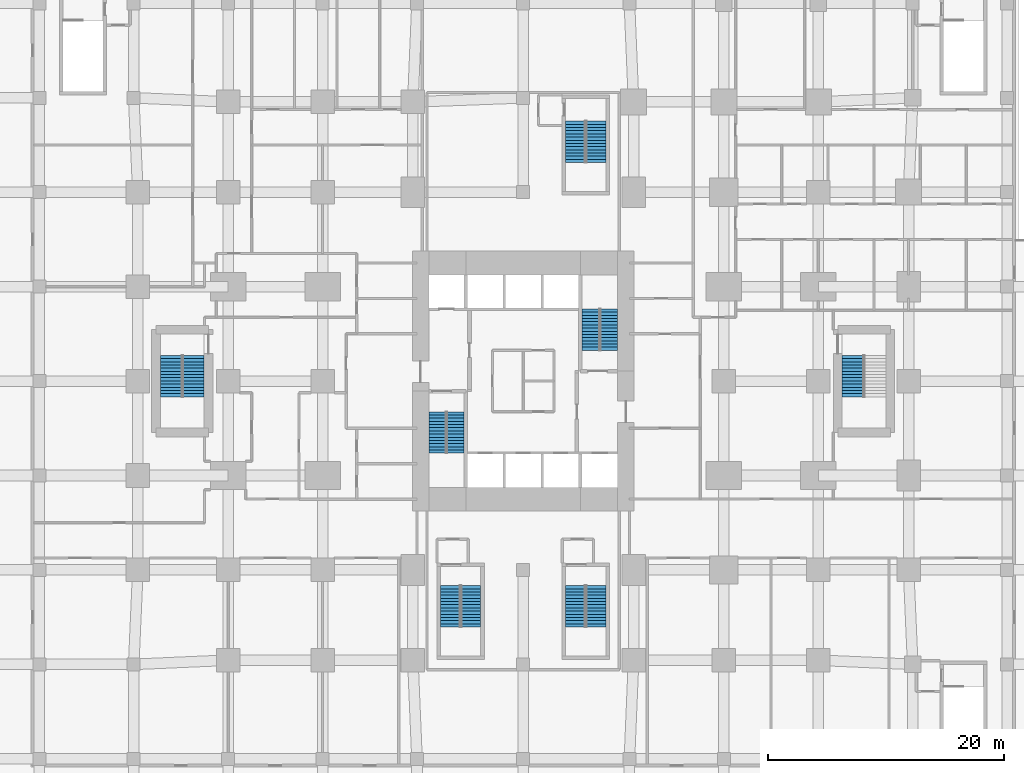
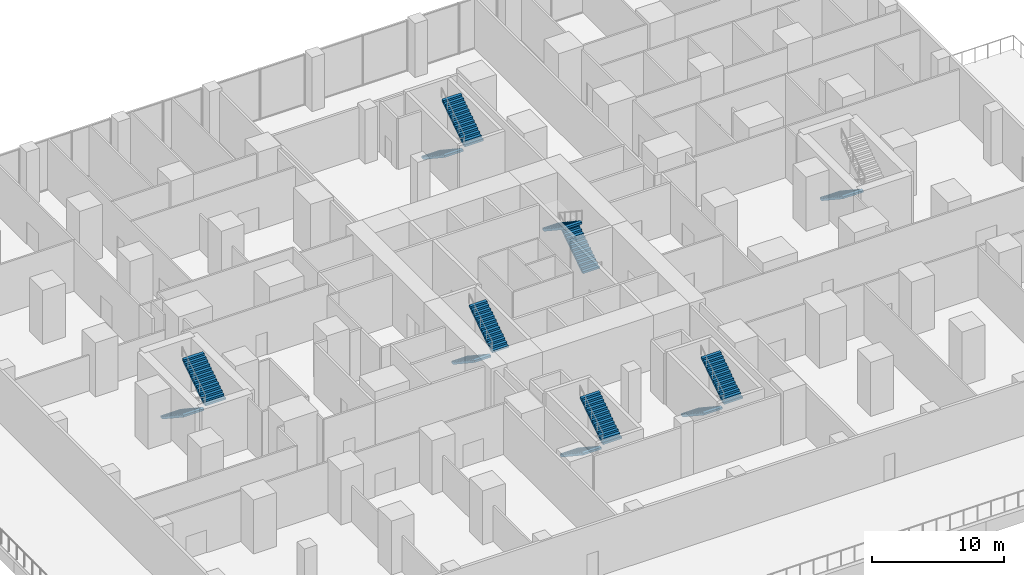
# One storey, part 15 of 19: 13 stair flights, 7 elements without a shape of their own.
"""IFC4 building model written with IfcOpenShell, lengths in metres."""

from ifc_helpers import new_model, si_unit, direction, frame, origin, place, context, subcontext, project, spatial, polyline, outline, extrude, material, type_object, element, aggregate, save


model = new_model("IFC4")

# Units and contexts
model_context = context("Model", 3, precision=1e-05, world=origin(), true_north=direction((0.0, 1.0)))
body_context = subcontext(model_context, "Body", "Model", "MODEL_VIEW")
ifc_project = project(units=[si_unit("LENGTHUNIT", "METRE"), si_unit("AREAUNIT", "SQUARE_METRE"), si_unit("VOLUMEUNIT", "CUBIC_METRE"), si_unit("PLANEANGLEUNIT", "RADIAN"), si_unit("MASSUNIT", "GRAM", prefix="KILO")], contexts=[model_context])

# Site, building, storey
site_placement = place(None, origin())
site = spatial("IfcSite", under=ifc_project, at=site_placement, CompositionType="ELEMENT")
building_placement = place(site_placement, origin())
building = spatial("IfcBuilding", under=site, at=building_placement, Name="Cleftline Residences", CompositionType="ELEMENT")
storey_placement = place(building_placement, frame((0.0, 0.0, 11.0)))
storey = spatial("IfcBuildingStorey", under=building, at=storey_placement, Name="L02", CompositionType="ELEMENT", Elevation=11.0)

# Stair, stair flights
ifc_material_1 = material(Name="Concrete B45, stone treads", Category="masonry")
stair_type_1 = type_object("IfcStairType", Name="STAIR A 1450 WIDE 179 RISER", PredefinedType="HALF_TURN_STAIR", material=ifc_material_1)
stair_1_placement = place(storey_placement, origin())
stair_1 = element("IfcStair", 1, at=stair_1_placement, inside=storey, type_object=stair_type_1, Name="Stair A L02", PredefinedType="HALF_TURN_STAIR")
ifc_material_2 = material(Name="Concrete B45", Category="concrete")
stair_flight_type_1 = type_object("IfcStairFlightType", Name="STAIR A FLIGHT 1450X179", PredefinedType="STRAIGHT", material=ifc_material_2)
stair_flight_1_placement = place(storey_placement, frame((25.72509765625, 21.39990234375, 0.0), z_axis=(0.0, 0.0, 1.0), x_axis=(0.0, -1.0, 0.0)))
stair_flight_1 = element("IfcStairFlight", 2, at=stair_flight_1_placement, type_object=stair_flight_type_1, Name="ST-A flight 1", NumberOfRisers=14, NumberOfTreads=13, PredefinedType="STRAIGHT", RiserHeight=0.178571429, TreadLength=0.27, context=body_context, shape_type="SweptSolid", body=[
    extrude(outline(polyline([(0.0, 0.0), (0.0, 0.013671875), (0.0, 0.027587890625), (0.0, 0.041259765625), (0.0, 0.054931640625), (0.0, 0.068603515625), (0.0, 0.08251953125), (0.0, 0.09619140625), (0.0, 0.10986328125), (0.0, 0.12353515625), (0.0, 0.137451171875), (0.0, 0.151123046875), (0.0, 0.164794921875), (0.0, 0.178466796875), (0.27001953125, 0.178466796875), (0.27001953125, 0.357177734375), (0.5400390625, 0.357177734375), (0.5400390625, 0.53564453125), (0.81005859375, 0.53564453125), (0.81005859375, 0.71435546875), (1.080078125, 0.71435546875), (1.080078125, 0.892822265625), (1.35009765625, 0.892822265625), (1.35009765625, 1.071533203125), (1.6201171875, 1.071533203125), (1.6201171875, 1.25), (1.889892578125, 1.25), (1.889892578125, 1.428466796875), (2.159912109375, 1.428466796875), (2.159912109375, 1.607177734375), (2.429931640625, 1.607177734375), (2.429931640625, 1.78564453125), (2.699951171875, 1.78564453125), (2.699951171875, 1.96435546875), (2.969970703125, 1.96435546875), (2.969970703125, 2.142822265625), (3.239990234375, 2.142822265625), (3.239990234375, 2.321533203125), (3.510009765625, 2.321533203125), (3.510009765625, 2.5), (3.510009765625, 2.472412109375), (3.510009765625, 2.44482421875), (3.510009765625, 2.417236328125), (3.510009765625, 2.3896484375), (3.510009765625, 2.3623046875), (3.510009765625, 2.334716796875), (3.510009765625, 2.30712890625), (3.510009765625, 2.279541015625), (3.510009765625, 2.251953125), (3.510009765625, 2.224365234375), (3.510009765625, 2.19677734375), (3.510009765625, 2.169189453125), (3.510009765625, 2.1416015625), (0.271728515625, 0.0), (0.0, 0.0)])), frame((0.0, 0.72509765625, 0.0), z_axis=(0.0, -1.0, 0.0), x_axis=(1.0, 0.0, 0.0)), (0.0, 0.0, 1.0), 1.449951171875),
])
stair_flight_2_placement = place(storey_placement, frame((27.27490234375, 17.889892578125, 2.5), z_axis=(0.0, 0.0, 1.0), x_axis=(0.0, 1.0, 0.0)))
stair_flight_2 = element("IfcStairFlight", 3, at=stair_flight_2_placement, type_object=stair_flight_type_1, Name="ST-A flight 2", NumberOfRisers=14, NumberOfTreads=13, PredefinedType="STRAIGHT", RiserHeight=0.178571429, TreadLength=0.27, context=body_context, shape_type="SweptSolid", body=[
    extrude(outline(polyline([(0.0, 0.0), (0.0, 0.013671875), (0.0, 0.027587890625), (0.0, 0.041259765625), (0.0, 0.054931640625), (0.0, 0.068603515625), (0.0, 0.08251953125), (0.0, 0.09619140625), (0.0, 0.10986328125), (0.0, 0.12353515625), (0.0, 0.137451171875), (0.0, 0.151123046875), (0.0, 0.164794921875), (0.0, 0.178466796875), (0.27001953125, 0.178466796875), (0.27001953125, 0.357177734375), (0.5400390625, 0.357177734375), (0.5400390625, 0.53564453125), (0.81005859375, 0.53564453125), (0.81005859375, 0.71435546875), (1.080078125, 0.71435546875), (1.080078125, 0.892822265625), (1.35009765625, 0.892822265625), (1.35009765625, 1.071533203125), (1.6201171875, 1.071533203125), (1.6201171875, 1.25), (1.889892578125, 1.25), (1.889892578125, 1.428466796875), (2.159912109375, 1.428466796875), (2.159912109375, 1.607177734375), (2.429931640625, 1.607177734375), (2.429931640625, 1.78564453125), (2.699951171875, 1.78564453125), (2.699951171875, 1.96435546875), (2.969970703125, 1.96435546875), (2.969970703125, 2.142822265625), (3.239990234375, 2.142822265625), (3.239990234375, 2.321533203125), (3.510009765625, 2.321533203125), (3.510009765625, 2.5), (3.510009765625, 2.472412109375), (3.510009765625, 2.44482421875), (3.510009765625, 2.417236328125), (3.510009765625, 2.3896484375), (3.510009765625, 2.3623046875), (3.510009765625, 2.334716796875), (3.510009765625, 2.30712890625), (3.510009765625, 2.279541015625), (3.510009765625, 2.251953125), (3.510009765625, 2.224365234375), (3.510009765625, 2.19677734375), (3.510009765625, 2.169189453125), (3.510009765625, 2.1416015625), (0.271728515625, 0.0), (0.0, 0.0)])), frame((0.0, 0.72509765625, 0.0), z_axis=(0.0, -1.0, 0.0), x_axis=(1.0, 0.0, 0.0)), (0.0, 0.0, 1.0), 1.449951171875),
])
aggregate(stair_1, [stair_flight_1, stair_flight_2])

ifc_material_3 = material(Name="Concrete B45, stone treads", Category="masonry")
stair_type_2 = type_object("IfcStairType", Name="STAIR B 1450 WIDE 179 RISER", PredefinedType="HALF_TURN_STAIR", material=ifc_material_3)
stair_2_placement = place(storey_placement, origin())
stair_2 = element("IfcStair", 4, at=stair_2_placement, inside=storey, type_object=stair_type_2, Name="Stair B L02", PredefinedType="HALF_TURN_STAIR")
ifc_material_4 = material(Name="Concrete B45", Category="concrete")
stair_flight_type_2 = type_object("IfcStairFlightType", Name="STAIR B FLIGHT 1450X179", PredefinedType="STRAIGHT", material=ifc_material_4)
stair_flight_3_placement = place(storey_placement, frame((40.27490234375, 26.60009765625, 0.0), z_axis=(0.0, 0.0, 1.0), x_axis=(0.0, 1.0, 0.0)))
stair_flight_3 = element("IfcStairFlight", 5, at=stair_flight_3_placement, type_object=stair_flight_type_2, Name="ST-B flight 1", NumberOfRisers=14, NumberOfTreads=13, PredefinedType="STRAIGHT", RiserHeight=0.178571429, TreadLength=0.27, context=body_context, shape_type="SweptSolid", body=[
    extrude(outline(polyline([(0.0, 0.0), (0.0, 0.013671875), (0.0, 0.027587890625), (0.0, 0.041259765625), (0.0, 0.054931640625), (0.0, 0.068603515625), (0.0, 0.08251953125), (0.0, 0.09619140625), (0.0, 0.10986328125), (0.0, 0.12353515625), (0.0, 0.137451171875), (0.0, 0.151123046875), (0.0, 0.164794921875), (0.0, 0.178466796875), (0.27001953125, 0.178466796875), (0.27001953125, 0.357177734375), (0.5400390625, 0.357177734375), (0.5400390625, 0.53564453125), (0.81005859375, 0.53564453125), (0.81005859375, 0.71435546875), (1.080078125, 0.71435546875), (1.080078125, 0.892822265625), (1.35009765625, 0.892822265625), (1.35009765625, 1.071533203125), (1.6201171875, 1.071533203125), (1.6201171875, 1.25), (1.889892578125, 1.25), (1.889892578125, 1.428466796875), (2.159912109375, 1.428466796875), (2.159912109375, 1.607177734375), (2.429931640625, 1.607177734375), (2.429931640625, 1.78564453125), (2.699951171875, 1.78564453125), (2.699951171875, 1.96435546875), (2.969970703125, 1.96435546875), (2.969970703125, 2.142822265625), (3.239990234375, 2.142822265625), (3.239990234375, 2.321533203125), (3.510009765625, 2.321533203125), (3.510009765625, 2.5), (3.510009765625, 2.472412109375), (3.510009765625, 2.44482421875), (3.510009765625, 2.417236328125), (3.510009765625, 2.3896484375), (3.510009765625, 2.3623046875), (3.510009765625, 2.334716796875), (3.510009765625, 2.30712890625), (3.510009765625, 2.279541015625), (3.510009765625, 2.251953125), (3.510009765625, 2.224365234375), (3.510009765625, 2.19677734375), (3.510009765625, 2.169189453125), (3.510009765625, 2.1416015625), (0.271728515625, 0.0), (0.0, 0.0)])), frame((0.0, 0.72509765625, 0.0), z_axis=(0.0, -1.0, 0.0), x_axis=(1.0, 0.0, 0.0)), (0.0, 0.0, 1.0), 1.449951171875),
])
stair_flight_4_placement = place(storey_placement, frame((38.72509765625, 30.110107421875, 2.5), z_axis=(0.0, 0.0, 1.0), x_axis=(0.0, -1.0, 0.0)))
stair_flight_4 = element("IfcStairFlight", 6, at=stair_flight_4_placement, type_object=stair_flight_type_2, Name="ST-B flight 2", NumberOfRisers=14, NumberOfTreads=13, PredefinedType="STRAIGHT", RiserHeight=0.178571429, TreadLength=0.27, context=body_context, shape_type="SweptSolid", body=[
    extrude(outline(polyline([(0.0, 0.0), (0.0, 0.013671875), (0.0, 0.027587890625), (0.0, 0.041259765625), (0.0, 0.054931640625), (0.0, 0.068603515625), (0.0, 0.08251953125), (0.0, 0.09619140625), (0.0, 0.10986328125), (0.0, 0.12353515625), (0.0, 0.137451171875), (0.0, 0.151123046875), (0.0, 0.164794921875), (0.0, 0.178466796875), (0.27001953125, 0.178466796875), (0.27001953125, 0.357177734375), (0.5400390625, 0.357177734375), (0.5400390625, 0.53564453125), (0.81005859375, 0.53564453125), (0.81005859375, 0.71435546875), (1.080078125, 0.71435546875), (1.080078125, 0.892822265625), (1.35009765625, 0.892822265625), (1.35009765625, 1.071533203125), (1.6201171875, 1.071533203125), (1.6201171875, 1.25), (1.889892578125, 1.25), (1.889892578125, 1.428466796875), (2.159912109375, 1.428466796875), (2.159912109375, 1.607177734375), (2.429931640625, 1.607177734375), (2.429931640625, 1.78564453125), (2.699951171875, 1.78564453125), (2.699951171875, 1.96435546875), (2.969970703125, 1.96435546875), (2.969970703125, 2.142822265625), (3.239990234375, 2.142822265625), (3.239990234375, 2.321533203125), (3.510009765625, 2.321533203125), (3.510009765625, 2.5), (3.510009765625, 2.472412109375), (3.510009765625, 2.44482421875), (3.510009765625, 2.417236328125), (3.510009765625, 2.3896484375), (3.510009765625, 2.3623046875), (3.510009765625, 2.334716796875), (3.510009765625, 2.30712890625), (3.510009765625, 2.279541015625), (3.510009765625, 2.251953125), (3.510009765625, 2.224365234375), (3.510009765625, 2.19677734375), (3.510009765625, 2.169189453125), (3.510009765625, 2.1416015625), (0.271728515625, 0.0), (0.0, 0.0)])), frame((0.0, 0.72509765625, 0.0), z_axis=(0.0, -1.0, 0.0), x_axis=(1.0, 0.0, 0.0)), (0.0, 0.0, 1.0), 1.449951171875),
])
aggregate(stair_2, [stair_flight_3, stair_flight_4])

ifc_material_5 = material(Name="Concrete B45, stone treads", Category="masonry")
stair_type_3 = type_object("IfcStairType", Name="STAIR C 1630 WIDE 179 RISER", PredefinedType="HALF_TURN_STAIR", material=ifc_material_5)
stair_3_placement = place(storey_placement, origin())
stair_3 = element("IfcStair", 7, at=stair_3_placement, inside=storey, type_object=stair_type_3, Name="Stair C L02", PredefinedType="HALF_TURN_STAIR")
ifc_material_6 = material(Name="Concrete B45", Category="concrete")
stair_flight_type_3 = type_object("IfcStairFlightType", Name="STAIR C FLIGHT 1630X179", PredefinedType="STRAIGHT", material=ifc_material_6)
stair_flight_5_placement = place(storey_placement, frame((26.81494140625, 6.669921875, 0.0), z_axis=(0.0, 0.0, 1.0), x_axis=(0.0, -1.0, 0.0)))
stair_flight_5 = element("IfcStairFlight", 8, at=stair_flight_5_placement, type_object=stair_flight_type_3, Name="ST-C flight 1", NumberOfRisers=14, NumberOfTreads=13, PredefinedType="STRAIGHT", RiserHeight=0.178571429, TreadLength=0.27, context=body_context, shape_type="SweptSolid", body=[
    extrude(outline(polyline([(0.0, 0.0), (0.0, 0.013671875), (0.0, 0.027587890625), (0.0, 0.041259765625), (0.0, 0.054931640625), (0.0, 0.068603515625), (0.0, 0.08251953125), (0.0, 0.09619140625), (0.0, 0.10986328125), (0.0, 0.12353515625), (0.0, 0.137451171875), (0.0, 0.151123046875), (0.0, 0.164794921875), (0.0, 0.178466796875), (0.27001953125, 0.178466796875), (0.27001953125, 0.357177734375), (0.5400390625, 0.357177734375), (0.5400390625, 0.53564453125), (0.81005859375, 0.53564453125), (0.81005859375, 0.71435546875), (1.080078125, 0.71435546875), (1.080078125, 0.892822265625), (1.35009765625, 0.892822265625), (1.35009765625, 1.071533203125), (1.6201171875, 1.071533203125), (1.6201171875, 1.25), (1.889892578125, 1.25), (1.889892578125, 1.428466796875), (2.159912109375, 1.428466796875), (2.159912109375, 1.607177734375), (2.429931640625, 1.607177734375), (2.429931640625, 1.78564453125), (2.699951171875, 1.78564453125), (2.699951171875, 1.96435546875), (2.969970703125, 1.96435546875), (2.969970703125, 2.142822265625), (3.239990234375, 2.142822265625), (3.239990234375, 2.321533203125), (3.510009765625, 2.321533203125), (3.510009765625, 2.5), (3.510009765625, 2.472412109375), (3.510009765625, 2.44482421875), (3.510009765625, 2.417236328125), (3.510009765625, 2.3896484375), (3.510009765625, 2.3623046875), (3.510009765625, 2.334716796875), (3.510009765625, 2.30712890625), (3.510009765625, 2.279541015625), (3.510009765625, 2.251953125), (3.510009765625, 2.224365234375), (3.510009765625, 2.19677734375), (3.510009765625, 2.169189453125), (3.510009765625, 2.1416015625), (0.271728515625, 0.0), (0.0, 0.0)])), frame((0.0, 0.81494140625, 0.0), z_axis=(0.0, -1.0, 0.0), x_axis=(1.0, 0.0, 0.0)), (0.0, 0.0, 1.0), 1.6298828125),
])
stair_flight_6_placement = place(storey_placement, frame((28.5849609375, 3.159912109375, 2.5), z_axis=(0.0, 0.0, 1.0), x_axis=(0.0, 1.0, 0.0)))
stair_flight_6 = element("IfcStairFlight", 9, at=stair_flight_6_placement, type_object=stair_flight_type_3, Name="ST-C flight 2", NumberOfRisers=14, NumberOfTreads=13, PredefinedType="STRAIGHT", RiserHeight=0.178571429, TreadLength=0.27, context=body_context, shape_type="SweptSolid", body=[
    extrude(outline(polyline([(0.0, 0.0), (0.0, 0.013671875), (0.0, 0.027587890625), (0.0, 0.041259765625), (0.0, 0.054931640625), (0.0, 0.068603515625), (0.0, 0.08251953125), (0.0, 0.09619140625), (0.0, 0.10986328125), (0.0, 0.12353515625), (0.0, 0.137451171875), (0.0, 0.151123046875), (0.0, 0.164794921875), (0.0, 0.178466796875), (0.27001953125, 0.178466796875), (0.27001953125, 0.357177734375), (0.5400390625, 0.357177734375), (0.5400390625, 0.53564453125), (0.81005859375, 0.53564453125), (0.81005859375, 0.71435546875), (1.080078125, 0.71435546875), (1.080078125, 0.892822265625), (1.35009765625, 0.892822265625), (1.35009765625, 1.071533203125), (1.6201171875, 1.071533203125), (1.6201171875, 1.25), (1.889892578125, 1.25), (1.889892578125, 1.428466796875), (2.159912109375, 1.428466796875), (2.159912109375, 1.607177734375), (2.429931640625, 1.607177734375), (2.429931640625, 1.78564453125), (2.699951171875, 1.78564453125), (2.699951171875, 1.96435546875), (2.969970703125, 1.96435546875), (2.969970703125, 2.142822265625), (3.239990234375, 2.142822265625), (3.239990234375, 2.321533203125), (3.510009765625, 2.321533203125), (3.510009765625, 2.5), (3.510009765625, 2.472412109375), (3.510009765625, 2.44482421875), (3.510009765625, 2.417236328125), (3.510009765625, 2.3896484375), (3.510009765625, 2.3623046875), (3.510009765625, 2.334716796875), (3.510009765625, 2.30712890625), (3.510009765625, 2.279541015625), (3.510009765625, 2.251953125), (3.510009765625, 2.224365234375), (3.510009765625, 2.19677734375), (3.510009765625, 2.169189453125), (3.510009765625, 2.1416015625), (0.271728515625, 0.0), (0.0, 0.0)])), frame((0.0, 0.81494140625, 0.0), z_axis=(0.0, -1.0, 0.0), x_axis=(1.0, 0.0, 0.0)), (0.0, 0.0, 1.0), 1.6298828125),
])
aggregate(stair_3, [stair_flight_5, stair_flight_6])

ifc_material_7 = material(Name="Concrete B45, stone treads", Category="masonry")
stair_type_4 = type_object("IfcStairType", Name="STAIR C2 1630 WIDE 179 RISER", PredefinedType="HALF_TURN_STAIR", material=ifc_material_7)
stair_4_placement = place(storey_placement, origin())
stair_4 = element("IfcStair", 10, at=stair_4_placement, inside=storey, type_object=stair_type_4, Name="Stair C2 L02", PredefinedType="HALF_TURN_STAIR")
ifc_material_8 = material(Name="Concrete B45", Category="concrete")
stair_flight_type_4 = type_object("IfcStairFlightType", Name="STAIR C2 FLIGHT 1630X179", PredefinedType="STRAIGHT", material=ifc_material_8)
stair_flight_7_placement = place(storey_placement, frame((37.4150390625, 6.669921875, 0.0), z_axis=(0.0, 0.0, 1.0), x_axis=(0.0, -1.0, 0.0)))
stair_flight_7 = element("IfcStairFlight", 11, at=stair_flight_7_placement, type_object=stair_flight_type_4, Name="ST-C2 flight 1", NumberOfRisers=14, NumberOfTreads=13, PredefinedType="STRAIGHT", RiserHeight=0.178571429, TreadLength=0.27, context=body_context, shape_type="SweptSolid", body=[
    extrude(outline(polyline([(0.0, 0.0), (0.0, 0.013671875), (0.0, 0.027587890625), (0.0, 0.041259765625), (0.0, 0.054931640625), (0.0, 0.068603515625), (0.0, 0.08251953125), (0.0, 0.09619140625), (0.0, 0.10986328125), (0.0, 0.12353515625), (0.0, 0.137451171875), (0.0, 0.151123046875), (0.0, 0.164794921875), (0.0, 0.178466796875), (0.27001953125, 0.178466796875), (0.27001953125, 0.357177734375), (0.5400390625, 0.357177734375), (0.5400390625, 0.53564453125), (0.81005859375, 0.53564453125), (0.81005859375, 0.71435546875), (1.080078125, 0.71435546875), (1.080078125, 0.892822265625), (1.35009765625, 0.892822265625), (1.35009765625, 1.071533203125), (1.6201171875, 1.071533203125), (1.6201171875, 1.25), (1.889892578125, 1.25), (1.889892578125, 1.428466796875), (2.159912109375, 1.428466796875), (2.159912109375, 1.607177734375), (2.429931640625, 1.607177734375), (2.429931640625, 1.78564453125), (2.699951171875, 1.78564453125), (2.699951171875, 1.96435546875), (2.969970703125, 1.96435546875), (2.969970703125, 2.142822265625), (3.239990234375, 2.142822265625), (3.239990234375, 2.321533203125), (3.510009765625, 2.321533203125), (3.510009765625, 2.5), (3.510009765625, 2.472412109375), (3.510009765625, 2.44482421875), (3.510009765625, 2.417236328125), (3.510009765625, 2.3896484375), (3.510009765625, 2.3623046875), (3.510009765625, 2.334716796875), (3.510009765625, 2.30712890625), (3.510009765625, 2.279541015625), (3.510009765625, 2.251953125), (3.510009765625, 2.224365234375), (3.510009765625, 2.19677734375), (3.510009765625, 2.169189453125), (3.510009765625, 2.1416015625), (0.271728515625, 0.0), (0.0, 0.0)])), frame((0.0, 0.81494140625, 0.0), z_axis=(0.0, -1.0, 0.0), x_axis=(1.0, 0.0, 0.0)), (0.0, 0.0, 1.0), 1.6298828125),
])
stair_flight_8_placement = place(storey_placement, frame((39.18505859375, 3.159912109375, 2.5), z_axis=(0.0, 0.0, 1.0), x_axis=(0.0, 1.0, 0.0)))
stair_flight_8 = element("IfcStairFlight", 12, at=stair_flight_8_placement, type_object=stair_flight_type_4, Name="ST-C2 flight 2", NumberOfRisers=14, NumberOfTreads=13, PredefinedType="STRAIGHT", RiserHeight=0.178571429, TreadLength=0.27, context=body_context, shape_type="SweptSolid", body=[
    extrude(outline(polyline([(0.0, 0.0), (0.0, 0.013671875), (0.0, 0.027587890625), (0.0, 0.041259765625), (0.0, 0.054931640625), (0.0, 0.068603515625), (0.0, 0.08251953125), (0.0, 0.09619140625), (0.0, 0.10986328125), (0.0, 0.12353515625), (0.0, 0.137451171875), (0.0, 0.151123046875), (0.0, 0.164794921875), (0.0, 0.178466796875), (0.27001953125, 0.178466796875), (0.27001953125, 0.357177734375), (0.5400390625, 0.357177734375), (0.5400390625, 0.53564453125), (0.81005859375, 0.53564453125), (0.81005859375, 0.71435546875), (1.080078125, 0.71435546875), (1.080078125, 0.892822265625), (1.35009765625, 0.892822265625), (1.35009765625, 1.071533203125), (1.6201171875, 1.071533203125), (1.6201171875, 1.25), (1.889892578125, 1.25), (1.889892578125, 1.428466796875), (2.159912109375, 1.428466796875), (2.159912109375, 1.607177734375), (2.429931640625, 1.607177734375), (2.429931640625, 1.78564453125), (2.699951171875, 1.78564453125), (2.699951171875, 1.96435546875), (2.969970703125, 1.96435546875), (2.969970703125, 2.142822265625), (3.239990234375, 2.142822265625), (3.239990234375, 2.321533203125), (3.510009765625, 2.321533203125), (3.510009765625, 2.5), (3.510009765625, 2.472412109375), (3.510009765625, 2.44482421875), (3.510009765625, 2.417236328125), (3.510009765625, 2.3896484375), (3.510009765625, 2.3623046875), (3.510009765625, 2.334716796875), (3.510009765625, 2.30712890625), (3.510009765625, 2.279541015625), (3.510009765625, 2.251953125), (3.510009765625, 2.224365234375), (3.510009765625, 2.19677734375), (3.510009765625, 2.169189453125), (3.510009765625, 2.1416015625), (0.271728515625, 0.0), (0.0, 0.0)])), frame((0.0, 0.81494140625, 0.0), z_axis=(0.0, -1.0, 0.0), x_axis=(1.0, 0.0, 0.0)), (0.0, 0.0, 1.0), 1.6298828125),
])
aggregate(stair_4, [stair_flight_7, stair_flight_8])

ifc_material_9 = material(Name="Concrete B45, stone treads", Category="masonry")
stair_type_5 = type_object("IfcStairType", Name="STAIR D 1630 WIDE 179 RISER", PredefinedType="HALF_TURN_STAIR", material=ifc_material_9)
stair_5_placement = place(storey_placement, origin())
stair_5 = element("IfcStair", 13, at=stair_5_placement, inside=storey, type_object=stair_type_5, Name="Stair D L02", PredefinedType="HALF_TURN_STAIR")
ifc_material_10 = material(Name="Concrete B45", Category="concrete")
stair_flight_type_5 = type_object("IfcStairFlightType", Name="STAIR D FLIGHT 1630X179", PredefinedType="STRAIGHT", material=ifc_material_10)
stair_flight_9_placement = place(storey_placement, frame((37.4150390625, 46.02001953125, 0.0), z_axis=(0.0, 0.0, 1.0), x_axis=(0.0, -1.0, 0.0)))
stair_flight_9 = element("IfcStairFlight", 14, at=stair_flight_9_placement, type_object=stair_flight_type_5, Name="ST-D flight 1", NumberOfRisers=14, NumberOfTreads=13, PredefinedType="STRAIGHT", RiserHeight=0.178571429, TreadLength=0.27, context=body_context, shape_type="SweptSolid", body=[
    extrude(outline(polyline([(0.0, 0.0), (0.0, 0.013671875), (0.0, 0.027587890625), (0.0, 0.041259765625), (0.0, 0.054931640625), (0.0, 0.068603515625), (0.0, 0.08251953125), (0.0, 0.09619140625), (0.0, 0.10986328125), (0.0, 0.12353515625), (0.0, 0.137451171875), (0.0, 0.151123046875), (0.0, 0.164794921875), (0.0, 0.178466796875), (0.27001953125, 0.178466796875), (0.27001953125, 0.357177734375), (0.5400390625, 0.357177734375), (0.5400390625, 0.53564453125), (0.81005859375, 0.53564453125), (0.81005859375, 0.71435546875), (1.080078125, 0.71435546875), (1.080078125, 0.892822265625), (1.35009765625, 0.892822265625), (1.35009765625, 1.071533203125), (1.6201171875, 1.071533203125), (1.6201171875, 1.25), (1.889892578125, 1.25), (1.889892578125, 1.428466796875), (2.159912109375, 1.428466796875), (2.159912109375, 1.607177734375), (2.429931640625, 1.607177734375), (2.429931640625, 1.78564453125), (2.699951171875, 1.78564453125), (2.699951171875, 1.96435546875), (2.969970703125, 1.96435546875), (2.969970703125, 2.142822265625), (3.239990234375, 2.142822265625), (3.239990234375, 2.321533203125), (3.510009765625, 2.321533203125), (3.510009765625, 2.5), (3.510009765625, 2.472412109375), (3.510009765625, 2.44482421875), (3.510009765625, 2.417236328125), (3.510009765625, 2.3896484375), (3.510009765625, 2.3623046875), (3.510009765625, 2.334716796875), (3.510009765625, 2.30712890625), (3.510009765625, 2.279541015625), (3.510009765625, 2.251953125), (3.510009765625, 2.224365234375), (3.510009765625, 2.19677734375), (3.510009765625, 2.169189453125), (3.510009765625, 2.1416015625), (0.271728515625, 0.0), (0.0, 0.0)])), frame((0.0, 0.81494140625, 0.0), z_axis=(0.0, -1.0, 0.0), x_axis=(1.0, 0.0, 0.0)), (0.0, 0.0, 1.0), 1.6298828125),
])
stair_flight_10_placement = place(storey_placement, frame((39.18505859375, 42.510009765625, 2.5), z_axis=(0.0, 0.0, 1.0), x_axis=(0.0, 1.0, 0.0)))
stair_flight_10 = element("IfcStairFlight", 15, at=stair_flight_10_placement, type_object=stair_flight_type_5, Name="ST-D flight 2", NumberOfRisers=14, NumberOfTreads=13, PredefinedType="STRAIGHT", RiserHeight=0.178571429, TreadLength=0.27, context=body_context, shape_type="SweptSolid", body=[
    extrude(outline(polyline([(0.0, 0.0), (0.0, 0.013671875), (0.0, 0.027587890625), (0.0, 0.041259765625), (0.0, 0.054931640625), (0.0, 0.068603515625), (0.0, 0.08251953125), (0.0, 0.09619140625), (0.0, 0.10986328125), (0.0, 0.12353515625), (0.0, 0.137451171875), (0.0, 0.151123046875), (0.0, 0.164794921875), (0.0, 0.178466796875), (0.27001953125, 0.178466796875), (0.27001953125, 0.357177734375), (0.5400390625, 0.357177734375), (0.5400390625, 0.53564453125), (0.81005859375, 0.53564453125), (0.81005859375, 0.71435546875), (1.080078125, 0.71435546875), (1.080078125, 0.892822265625), (1.35009765625, 0.892822265625), (1.35009765625, 1.071533203125), (1.6201171875, 1.071533203125), (1.6201171875, 1.25), (1.889892578125, 1.25), (1.889892578125, 1.428466796875), (2.159912109375, 1.428466796875), (2.159912109375, 1.607177734375), (2.429931640625, 1.607177734375), (2.429931640625, 1.78564453125), (2.699951171875, 1.78564453125), (2.699951171875, 1.96435546875), (2.969970703125, 1.96435546875), (2.969970703125, 2.142822265625), (3.239990234375, 2.142822265625), (3.239990234375, 2.321533203125), (3.510009765625, 2.321533203125), (3.510009765625, 2.5), (3.510009765625, 2.472412109375), (3.510009765625, 2.44482421875), (3.510009765625, 2.417236328125), (3.510009765625, 2.3896484375), (3.510009765625, 2.3623046875), (3.510009765625, 2.334716796875), (3.510009765625, 2.30712890625), (3.510009765625, 2.279541015625), (3.510009765625, 2.251953125), (3.510009765625, 2.224365234375), (3.510009765625, 2.19677734375), (3.510009765625, 2.169189453125), (3.510009765625, 2.1416015625), (0.271728515625, 0.0), (0.0, 0.0)])), frame((0.0, 0.81494140625, 0.0), z_axis=(0.0, -1.0, 0.0), x_axis=(1.0, 0.0, 0.0)), (0.0, 0.0, 1.0), 1.6298828125),
])
aggregate(stair_5, [stair_flight_9, stair_flight_10])

# Stair, stair flight
ifc_material_11 = material(Name="Concrete B45, stone treads", Category="masonry")
stair_type_6 = type_object("IfcStairType", Name="STAIR E 1800 WIDE 179 RISER", PredefinedType="HALF_TURN_STAIR", material=ifc_material_11)
stair_6_placement = place(storey_placement, origin())
stair_6 = element("IfcStair", 16, at=stair_6_placement, inside=storey, type_object=stair_type_6, Name="Stair E L02", PredefinedType="HALF_TURN_STAIR")
ifc_material_12 = material(Name="Concrete B45", Category="concrete")
stair_flight_type_6 = type_object("IfcStairFlightType", Name="STAIR E FLIGHT 1800X179", PredefinedType="STRAIGHT", material=ifc_material_12)
stair_flight_11_placement = place(storey_placement, frame((60.925048828125, 26.175048828125, 0.0), z_axis=(0.0, 0.0, 1.0), x_axis=(0.0, -1.0, 0.0)))
stair_flight_11 = element("IfcStairFlight", 17, at=stair_flight_11_placement, type_object=stair_flight_type_6, Name="ST-E flight 1", NumberOfRisers=14, NumberOfTreads=13, PredefinedType="STRAIGHT", RiserHeight=0.178571429, TreadLength=0.27, context=body_context, shape_type="SweptSolid", body=[
    extrude(outline(polyline([(0.0, 0.0), (0.0, 0.013671875), (0.0, 0.027587890625), (0.0, 0.041259765625), (0.0, 0.054931640625), (0.0, 0.068603515625), (0.0, 0.08251953125), (0.0, 0.09619140625), (0.0, 0.10986328125), (0.0, 0.12353515625), (0.0, 0.137451171875), (0.0, 0.151123046875), (0.0, 0.164794921875), (0.0, 0.178466796875), (0.27001953125, 0.178466796875), (0.27001953125, 0.357177734375), (0.5400390625, 0.357177734375), (0.5400390625, 0.53564453125), (0.81005859375, 0.53564453125), (0.81005859375, 0.71435546875), (1.080078125, 0.71435546875), (1.080078125, 0.892822265625), (1.35009765625, 0.892822265625), (1.35009765625, 1.071533203125), (1.6201171875, 1.071533203125), (1.6201171875, 1.25), (1.889892578125, 1.25), (1.889892578125, 1.428466796875), (2.159912109375, 1.428466796875), (2.159912109375, 1.607177734375), (2.429931640625, 1.607177734375), (2.429931640625, 1.78564453125), (2.699951171875, 1.78564453125), (2.699951171875, 1.96435546875), (2.969970703125, 1.96435546875), (2.969970703125, 2.142822265625), (3.239990234375, 2.142822265625), (3.239990234375, 2.321533203125), (3.510009765625, 2.321533203125), (3.510009765625, 2.5), (3.510009765625, 2.472412109375), (3.510009765625, 2.44482421875), (3.510009765625, 2.417236328125), (3.510009765625, 2.3896484375), (3.510009765625, 2.3623046875), (3.510009765625, 2.334716796875), (3.510009765625, 2.30712890625), (3.510009765625, 2.279541015625), (3.510009765625, 2.251953125), (3.510009765625, 2.224365234375), (3.510009765625, 2.19677734375), (3.510009765625, 2.169189453125), (3.510009765625, 2.1416015625), (0.271728515625, 0.0), (0.0, 0.0)])), frame((0.0, 0.89990234375, 0.0), z_axis=(0.0, -1.0, 0.0), x_axis=(1.0, 0.0, 0.0)), (0.0, 0.0, 1.0), 1.800048828125),
])
aggregate(stair_6, [stair_flight_11])

# Stair, stair flights
ifc_material_13 = material(Name="Concrete B45, stone treads", Category="masonry")
stair_type_7 = type_object("IfcStairType", Name="STAIR W 1800 WIDE 179 RISER", PredefinedType="HALF_TURN_STAIR", material=ifc_material_13)
stair_7_placement = place(storey_placement, origin())
stair_7 = element("IfcStair", 18, at=stair_7_placement, inside=storey, type_object=stair_type_7, Name="Stair W L02", PredefinedType="HALF_TURN_STAIR")
ifc_material_14 = material(Name="Concrete B45", Category="concrete")
stair_flight_type_7 = type_object("IfcStairFlightType", Name="STAIR W FLIGHT 1800X179", PredefinedType="STRAIGHT", material=ifc_material_14)
stair_flight_12_placement = place(storey_placement, frame((3.175048828125, 26.175048828125, 0.0), z_axis=(0.0, 0.0, 1.0), x_axis=(0.0, -1.0, 0.0)))
stair_flight_12 = element("IfcStairFlight", 19, at=stair_flight_12_placement, type_object=stair_flight_type_7, Name="ST-W flight 1", NumberOfRisers=14, NumberOfTreads=13, PredefinedType="STRAIGHT", RiserHeight=0.178571429, TreadLength=0.27, context=body_context, shape_type="SweptSolid", body=[
    extrude(outline(polyline([(0.0, 0.0), (0.0, 0.013671875), (0.0, 0.027587890625), (0.0, 0.041259765625), (0.0, 0.054931640625), (0.0, 0.068603515625), (0.0, 0.08251953125), (0.0, 0.09619140625), (0.0, 0.10986328125), (0.0, 0.12353515625), (0.0, 0.137451171875), (0.0, 0.151123046875), (0.0, 0.164794921875), (0.0, 0.178466796875), (0.27001953125, 0.178466796875), (0.27001953125, 0.357177734375), (0.5400390625, 0.357177734375), (0.5400390625, 0.53564453125), (0.81005859375, 0.53564453125), (0.81005859375, 0.71435546875), (1.080078125, 0.71435546875), (1.080078125, 0.892822265625), (1.35009765625, 0.892822265625), (1.35009765625, 1.071533203125), (1.6201171875, 1.071533203125), (1.6201171875, 1.25), (1.889892578125, 1.25), (1.889892578125, 1.428466796875), (2.159912109375, 1.428466796875), (2.159912109375, 1.607177734375), (2.429931640625, 1.607177734375), (2.429931640625, 1.78564453125), (2.699951171875, 1.78564453125), (2.699951171875, 1.96435546875), (2.969970703125, 1.96435546875), (2.969970703125, 2.142822265625), (3.239990234375, 2.142822265625), (3.239990234375, 2.321533203125), (3.510009765625, 2.321533203125), (3.510009765625, 2.5), (3.510009765625, 2.472412109375), (3.510009765625, 2.44482421875), (3.510009765625, 2.417236328125), (3.510009765625, 2.3896484375), (3.510009765625, 2.3623046875), (3.510009765625, 2.334716796875), (3.510009765625, 2.30712890625), (3.510009765625, 2.279541015625), (3.510009765625, 2.251953125), (3.510009765625, 2.224365234375), (3.510009765625, 2.19677734375), (3.510009765625, 2.169189453125), (3.510009765625, 2.1416015625), (0.271728515625, 0.0), (0.0, 0.0)])), frame((0.0, 0.89990234375, 0.0), z_axis=(0.0, -1.0, 0.0), x_axis=(1.0, 0.0, 0.0)), (0.0, 0.0, 1.0), 1.800048828125),
])
stair_flight_13_placement = place(storey_placement, frame((5.074951171875, 22.6650390625, 2.5), z_axis=(0.0, 0.0, 1.0), x_axis=(0.0, 1.0, 0.0)))
stair_flight_13 = element("IfcStairFlight", 20, at=stair_flight_13_placement, type_object=stair_flight_type_7, Name="ST-W flight 2", NumberOfRisers=14, NumberOfTreads=13, PredefinedType="STRAIGHT", RiserHeight=0.178571429, TreadLength=0.27, context=body_context, shape_type="SweptSolid", body=[
    extrude(outline(polyline([(0.0, 0.0), (0.0, 0.013671875), (0.0, 0.027587890625), (0.0, 0.041259765625), (0.0, 0.054931640625), (0.0, 0.068603515625), (0.0, 0.08251953125), (0.0, 0.09619140625), (0.0, 0.10986328125), (0.0, 0.12353515625), (0.0, 0.137451171875), (0.0, 0.151123046875), (0.0, 0.164794921875), (0.0, 0.178466796875), (0.27001953125, 0.178466796875), (0.27001953125, 0.357177734375), (0.5400390625, 0.357177734375), (0.5400390625, 0.53564453125), (0.81005859375, 0.53564453125), (0.81005859375, 0.71435546875), (1.080078125, 0.71435546875), (1.080078125, 0.892822265625), (1.35009765625, 0.892822265625), (1.35009765625, 1.071533203125), (1.6201171875, 1.071533203125), (1.6201171875, 1.25), (1.889892578125, 1.25), (1.889892578125, 1.428466796875), (2.159912109375, 1.428466796875), (2.159912109375, 1.607177734375), (2.429931640625, 1.607177734375), (2.429931640625, 1.78564453125), (2.699951171875, 1.78564453125), (2.699951171875, 1.96435546875), (2.969970703125, 1.96435546875), (2.969970703125, 2.142822265625), (3.239990234375, 2.142822265625), (3.239990234375, 2.321533203125), (3.510009765625, 2.321533203125), (3.510009765625, 2.5), (3.510009765625, 2.472412109375), (3.510009765625, 2.44482421875), (3.510009765625, 2.417236328125), (3.510009765625, 2.3896484375), (3.510009765625, 2.3623046875), (3.510009765625, 2.334716796875), (3.510009765625, 2.30712890625), (3.510009765625, 2.279541015625), (3.510009765625, 2.251953125), (3.510009765625, 2.224365234375), (3.510009765625, 2.19677734375), (3.510009765625, 2.169189453125), (3.510009765625, 2.1416015625), (0.271728515625, 0.0), (0.0, 0.0)])), frame((0.0, 0.89990234375, 0.0), z_axis=(0.0, -1.0, 0.0), x_axis=(1.0, 0.0, 0.0)), (0.0, 0.0, 1.0), 1.800048828125),
])
aggregate(stair_7, [stair_flight_12, stair_flight_13])

save(model, "model.ifc")
